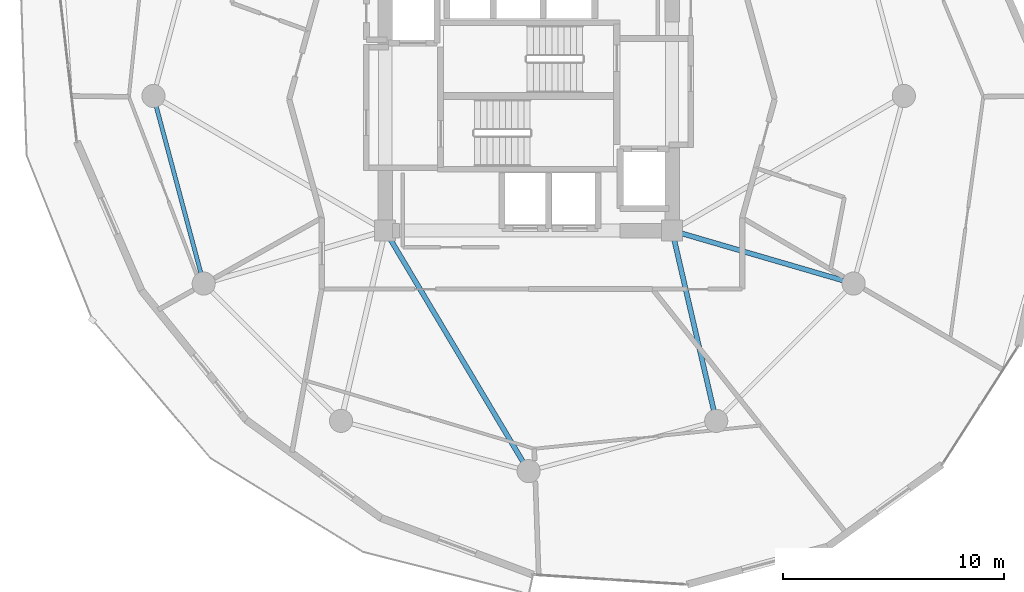
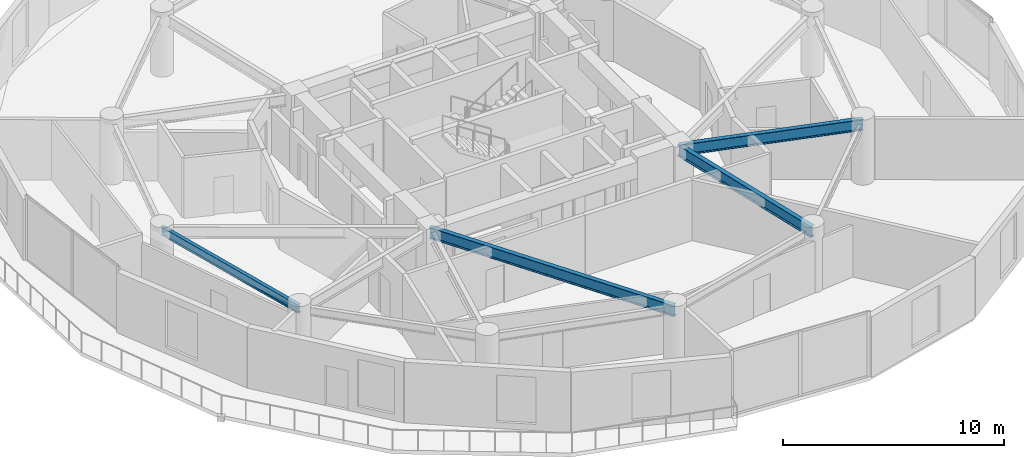
# One storey, part 4 of 21: 4 beams.
"""IFC4 building model written with IfcOpenShell, lengths in metres."""

from ifc_helpers import new_model, si_unit, direction, frame, origin, origin_2d, place, context, subcontext, project, spatial, i_section, extrude, material, material_profile, profile_set, type_object, element, save


model = new_model("IFC4")

# Units and contexts
model_context = context("Model", 3, precision=1e-05, world=origin(), true_north=direction((0.0, 1.0)))
body_context = subcontext(model_context, "Body", "Model", "MODEL_VIEW")
ifc_project = project(units=[si_unit("LENGTHUNIT", "METRE"), si_unit("AREAUNIT", "SQUARE_METRE"), si_unit("VOLUMEUNIT", "CUBIC_METRE"), si_unit("PLANEANGLEUNIT", "RADIAN"), si_unit("MASSUNIT", "GRAM", prefix="KILO")], contexts=[model_context])

# Site, building, storey
site_placement = place(None, origin())
site = spatial("IfcSite", under=ifc_project, at=site_placement, CompositionType="ELEMENT")
building_placement = place(site_placement, origin())
building = spatial("IfcBuilding", under=site, at=building_placement, Name="Solvirekh Grand Hotel", CompositionType="ELEMENT")
storey_placement = place(building_placement, frame((0.0, 0.0, 142.199951171875)))
storey = spatial("IfcBuildingStorey", under=building, at=storey_placement, Name="L36", CompositionType="ELEMENT", Elevation=142.199951171875)

# Beams
ifc_material = material(Name="Steel S355", Category="steel")
ifc_material_profile_1 = material_profile(ifc_material, i_section(OverallWidth=0.22802734375, OverallDepth=0.616943359375, WebThickness=0.012939453125, FlangeThickness=0.02001953125, FilletRadius=0.014892578125, at=origin_2d()), Name="W610X140")
ifc_profile_set_1 = profile_set([ifc_material_profile_1], Name="Steel S355")
beam_type_1 = type_object("IfcBeamType", Name="Beam_Radial_W610", PredefinedType="BEAM", material=ifc_profile_set_1)
beam_1_placement = place(storey_placement, frame((-6.5, -6.10009765625, 3.0419921875), z_axis=(0.512179721377, -0.858878299301, 0.0), x_axis=(0.858878299301, 0.512179721377, 0.0)))
element("IfcBeam", 1, at=beam_1_placement, inside=storey, type_object=beam_type_1, Name="L36 radial floor beam R10", PredefinedType="BEAM", context=body_context, shape_type="SweptSolid", body=[
    extrude(i_section(OverallWidth=0.22802734375, OverallDepth=0.616943359375, WebThickness=0.012939453125, FlangeThickness=0.02001953125, FilletRadius=0.014892578125, at=origin_2d()), origin(), (0.0, 0.0, 1.0), 12.69091796875),
])
beam_2_placement = place(storey_placement, frame((6.5, -6.10009765625, 3.0419921875), z_axis=(0.225969390542, -0.974134402707, 0.0), x_axis=(0.974134402707, 0.225969390542, 0.0)))
element("IfcBeam", 2, at=beam_2_placement, inside=storey, type_object=beam_type_1, Name="L36 radial floor beam R11", PredefinedType="BEAM", context=body_context, shape_type="SweptSolid", body=[
    extrude(i_section(OverallWidth=0.22802734375, OverallDepth=0.616943359375, WebThickness=0.012939453125, FlangeThickness=0.02001953125, FilletRadius=0.014892578125, at=origin_2d()), origin(), (0.0, 0.0, 1.0), 8.850830078125),
])
beam_3_placement = place(storey_placement, frame((6.5, -6.10009765625, 3.0419921875), z_axis=(0.959942195467, -0.28019811092, 0.0), x_axis=(0.28019811092, 0.959942195467, 0.0)))
element("IfcBeam", 3, at=beam_3_placement, inside=storey, type_object=beam_type_1, Name="L36 radial floor beam R12", PredefinedType="BEAM", context=body_context, shape_type="SweptSolid", body=[
    extrude(i_section(OverallWidth=0.22802734375, OverallDepth=0.616943359375, WebThickness=0.012939453125, FlangeThickness=0.02001953125, FilletRadius=0.014892578125, at=origin_2d()), origin(), (0.0, 0.0, 1.0), 8.56494140625),
])
ifc_material_profile_2 = material_profile(ifc_material, i_section(OverallWidth=0.18994140625, OverallDepth=0.45703125, WebThickness=0.009033203125, FlangeThickness=0.013916015625, FilletRadius=0.012939453125, at=origin_2d()), Name="W460X74")
ifc_profile_set_2 = profile_set([ifc_material_profile_2], Name="Steel S355")
beam_type_2 = type_object("IfcBeamType", Name="Spandrel_Ring_W460", PredefinedType="SPANDREL", material=ifc_profile_set_2)
beam_4_placement = place(storey_placement, frame((-17.0, 0.0, 3.1220703125), z_axis=(0.258872908946, -0.965911391906, 0.0), x_axis=(0.965911391906, 0.258872908946, 0.0)))
element("IfcBeam", 4, at=beam_4_placement, inside=storey, type_object=beam_type_2, Name="L36 perimeter spandrel beam 7", PredefinedType="SPANDREL", context=body_context, shape_type="SweptSolid", body=[
    extrude(i_section(OverallWidth=0.18994140625, OverallDepth=0.45703125, WebThickness=0.009033203125, FlangeThickness=0.013916015625, FilletRadius=0.012939453125, at=origin_2d()), origin(), (0.0, 0.0, 1.0), 8.800048828125),
])

save(model, "model.ifc")
